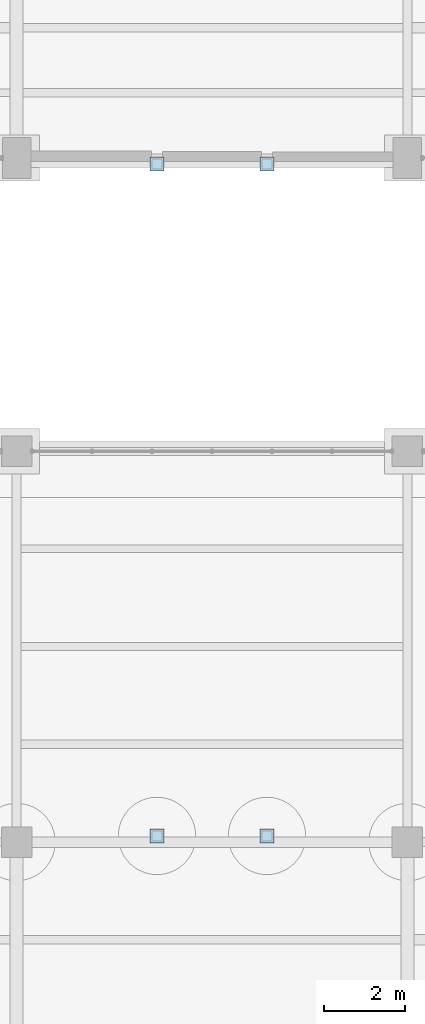
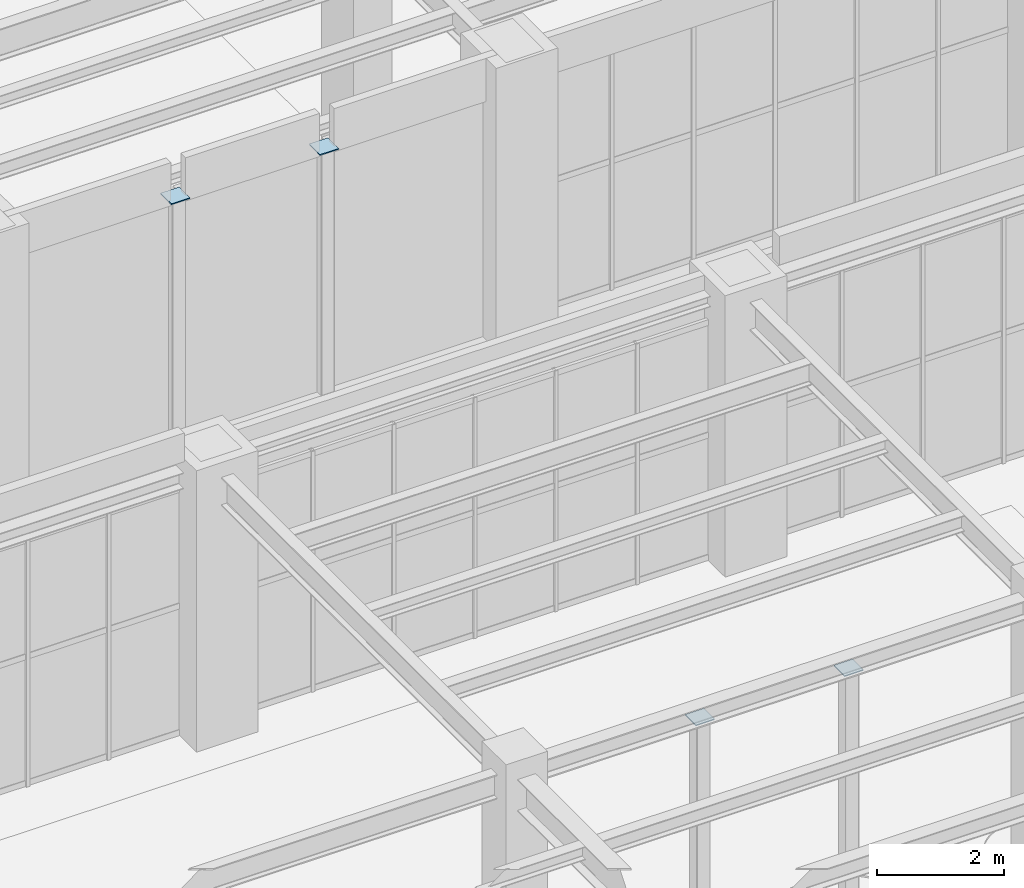
# One storey, part 127 of 164: 4 plates.
"""IFC4 building model written with IfcOpenShell, lengths in metres."""

import ifcopenshell
import ifcopenshell.guid

model = None  # the IFC model being written
_history = None  # IfcOwnerHistory: only IFC2X3 demands one
_inside = {}  # id of a spatial element -> (the spatial element, [elements in it])
_under = {}  # id of a project, library or spatial element -> (it, [spatial elements below it])
_declared = {}  # id of a project -> (the project, [libraries it declares])
_typed = {}  # id of a type object -> (the type object, [elements of that type])
_made_of = {}  # id of a material, layer set ... -> (it, [elements and type objects made of it])


def new_model(schema):
    """Start an empty IFC model of exactly this schema.

    Asked for "IFC4X3", IfcOpenShell would pick the latest addendum, in which some entities
    have other attributes; the version numbers below select the first issue.
    IFC2X3 requires an IfcOwnerHistory on every rooted entity: one is made here for all.
    """
    global model, _history
    if schema == "IFC4X3":
        model = ifcopenshell.file(schema_version=(4, 3, 0, 0))
    else:
        model = ifcopenshell.file(schema=schema)
    _inside.clear()
    _under.clear()
    _declared.clear()
    _typed.clear()
    _made_of.clear()
    _history = None
    if model.schema == "IFC2X3":
        org = make("IfcOrganization", Name="unknown")
        user = make(
            "IfcPersonAndOrganization",
            ThePerson=make("IfcPerson", FamilyName="unknown"),
            TheOrganization=org,
        )
        app = make(
            "IfcApplication",
            ApplicationDeveloper=org,
            Version="unknown",
            ApplicationFullName="unknown",
            ApplicationIdentifier="unknown",
        )
        _history = make(
            "IfcOwnerHistory",
            OwningUser=user,
            OwningApplication=app,
            ChangeAction="ADDED",
            CreationDate=0,
        )
    return model


def make(cls, **values):
    """One entity of the class cls with the attributes given. An attribute that is None is left unset."""
    return model.create_entity(
        cls, **{name: value for name, value in values.items() if value is not None}
    )


def rooted(cls, **values):
    """An entity with a GlobalId (a new one), such as an element, a storey or a relation."""
    return make(cls, GlobalId=ifcopenshell.guid.new(), OwnerHistory=_history, **values)


def si_unit(unit_type, name, prefix=None):
    """IfcSIUnit, for example si_unit("LENGTHUNIT", "METRE", prefix="MILLI")."""
    return make("IfcSIUnit", UnitType=unit_type, Prefix=prefix, Name=name)


def assignment(units):
    """IfcUnitAssignment: the units of a project."""
    return None if units is None else make("IfcUnitAssignment", Units=units)


def point(xyz):
    """IfcCartesianPoint."""
    return None if xyz is None else make("IfcCartesianPoint", Coordinates=xyz)


def direction(xyz):
    """IfcDirection."""
    return None if xyz is None else make("IfcDirection", DirectionRatios=xyz)


def frame(location, z_axis=None, x_axis=None):
    """IfcAxis2Placement3D, a coordinate frame: its origin and axes. An axis left out is left unset."""
    return make(
        "IfcAxis2Placement3D",
        Location=point(location),
        Axis=direction(z_axis),
        RefDirection=direction(x_axis),
    )


def frame_2d(location, x_axis=None):
    """IfcAxis2Placement2D, a coordinate frame in the plane: its origin and x axis."""
    return make(
        "IfcAxis2Placement2D", Location=point(location), RefDirection=direction(x_axis)
    )


def origin():
    """The frame at (0, 0, 0) with its axes left unset."""
    return frame((0.0, 0.0, 0.0))


def origin_2d():
    """The frame at (0, 0) in the plane with its x axis left unset."""
    return frame_2d((0.0, 0.0))


def place(relative_to, where):
    """IfcLocalPlacement: puts the frame where relative to a parent placement (None: the world)."""
    return make(
        "IfcLocalPlacement", PlacementRelTo=relative_to, RelativePlacement=where
    )


def context(
    kind, dimensions, precision=None, world=None, true_north=None, identifier=None
):
    """IfcGeometricRepresentationContext, for example the 3D "Model" context."""
    return make(
        "IfcGeometricRepresentationContext",
        ContextIdentifier=identifier,
        ContextType=kind,
        CoordinateSpaceDimension=dimensions,
        Precision=precision,
        WorldCoordinateSystem=world,
        TrueNorth=true_north,
    )


def subcontext(parent, identifier, kind, view, scale=None):
    """IfcGeometricRepresentationSubContext, for example "Body" below "Model"."""
    return make(
        "IfcGeometricRepresentationSubContext",
        ContextIdentifier=identifier,
        ContextType=kind,
        ParentContext=parent,
        TargetScale=scale,
        TargetView=view,
    )


def project(units=None, contexts=None):
    """IfcProject with its units and contexts."""
    return rooted(
        "IfcProject",
        Name="project",
        RepresentationContexts=contexts,
        UnitsInContext=assignment(units),
    )


def spatial(cls, under=None, at=None, **own):
    """A site, building, storey or space (cls), placed at a placement, below another one or the project."""
    s = rooted(cls, ObjectPlacement=at, **own)
    if under is not None:
        _under.setdefault(under.id(), (under, []))[1].append(s)
    return s


def profile(cls, at=None, kind="AREA", **sizes):
    """A parametric profile (cls). Its sizes go by their IFC names, for example OverallWidth=200.0."""
    return make(cls, ProfileType=kind, Position=at, **sizes)


def rectangle(**sizes):
    """IfcRectangleProfileDef."""
    return profile("IfcRectangleProfileDef", **sizes)


def extrude(swept, where, along, depth):
    """IfcExtrudedAreaSolid: the profile swept, set in the frame where, extruded along a direction by depth."""
    return make(
        "IfcExtrudedAreaSolid",
        SweptArea=swept,
        Position=where,
        ExtrudedDirection=direction(along),
        Depth=depth,
    )


def shape(context_of_items, identifier, shape_type, items):
    """IfcShapeRepresentation: the items that make up one representation, for example the "Body"."""
    return make(
        "IfcShapeRepresentation",
        ContextOfItems=context_of_items,
        RepresentationIdentifier=identifier,
        RepresentationType=shape_type,
        Items=items,
    )


def material(Name=None, Category=None):
    """IfcMaterial."""
    return make("IfcMaterial", Name=Name, Category=Category)


def layer(
    of_material, thickness, ventilated=None, Name=None, Category=None, Priority=None
):
    """IfcMaterialLayer: one layer of a wall or slab, of a material (None: an air gap)."""
    return make(
        "IfcMaterialLayer",
        Material=of_material,
        LayerThickness=thickness,
        IsVentilated=ventilated,
        Name=Name,
        Category=Category,
        Priority=Priority,
    )


def layer_set(layers, Name=None):
    """IfcMaterialLayerSet."""
    return make("IfcMaterialLayerSet", MaterialLayers=layers, LayerSetName=Name)


def made_of(thing, what):
    """Note that an element or type object is made of a material, layer set ...; save() writes the relation."""
    if what is not None:
        _made_of.setdefault(what.id(), (what, []))[1].append(thing)
    return thing


def type_object(cls, material=None, **own):
    """A type object (cls), such as IfcWallType, which elements share."""
    return made_of(rooted(cls, **own), material)


def element(
    cls,
    number,
    at=None,
    inside=None,
    cuts=None,
    type_object=None,
    material=None,
    context=None,
    identifier="Body",
    shape_type=None,
    held_by="IfcProductDefinitionShape",
    body=None,
    shapes=None,
    **own,
):
    """One element of the class cls, such as IfcWall. Its Tag is "e" and its number.

    at: its placement. inside: the storey or other place that contains it. cuts: it is an
    opening in that element (IfcRelVoidsElement). A single representation is given by context,
    identifier, shape_type and body (its items); several are given by shapes. held_by: the class
    of the entity that holds the representations. save() writes the other relations.
    """
    e = rooted(cls, Tag="e%d" % number, ObjectPlacement=at, **own)
    if body is not None:
        shapes = [shape(context, identifier, shape_type, body)]
    if shapes is not None:
        e.Representation = make(held_by, Representations=shapes)
    if inside is not None:
        _inside.setdefault(inside.id(), (inside, []))[1].append(e)
    if cuts is not None:
        rooted(
            "IfcRelVoidsElement", RelatingBuildingElement=cuts, RelatedOpeningElement=e
        )
    if type_object is not None:
        _typed.setdefault(type_object.id(), (type_object, []))[1].append(e)
    return made_of(e, material)


def aggregate(whole, parts):
    """IfcRelAggregates: a whole, such as a stair, and the parts it consists of."""
    return rooted("IfcRelAggregates", RelatingObject=whole, RelatedObjects=parts)


def save(model, path):
    """Write the relations noted so far, then the file.

    IfcRelAggregates (storeys below a building ...), IfcRelContainedInSpatialStructure (elements
    in a storey), IfcRelDefinesByType, IfcRelAssociatesMaterial and IfcRelDeclares: one each for
    every whole, place, type object, material and project.
    """
    for whole, parts in _under.values():
        aggregate(whole, parts)
    for where, things in _inside.values():
        rooted(
            "IfcRelContainedInSpatialStructure",
            RelatedElements=things,
            RelatingStructure=where,
        )
    for kind, things in _typed.values():
        rooted("IfcRelDefinesByType", RelatedObjects=things, RelatingType=kind)
    for what, things in _made_of.values():
        rooted("IfcRelAssociatesMaterial", RelatedObjects=things, RelatingMaterial=what)
    for by, libraries in _declared.values():
        rooted("IfcRelDeclares", RelatingContext=by, RelatedDefinitions=libraries)
    model.write(path)


model = new_model("IFC4")

# Units and contexts
model_context = context("Model", 3, precision=1e-05, world=origin(), true_north=direction((0.0, 1.0)))
body_context = subcontext(model_context, "Body", "Model", "MODEL_VIEW")
ifc_project = project(units=[si_unit("LENGTHUNIT", "METRE"), si_unit("AREAUNIT", "SQUARE_METRE"), si_unit("VOLUMEUNIT", "CUBIC_METRE"), si_unit("PLANEANGLEUNIT", "RADIAN"), si_unit("MASSUNIT", "GRAM", prefix="KILO")], contexts=[model_context])

# Site, building, storey
site_placement = place(None, origin())
site = spatial("IfcSite", under=ifc_project, at=site_placement, CompositionType="ELEMENT")
building_placement = place(site_placement, origin())
building = spatial("IfcBuilding", under=site, at=building_placement, Name="Mavantir Sound Aquarium", CompositionType="ELEMENT")
storey_placement = place(building_placement, origin())
storey = spatial("IfcBuildingStorey", under=building, at=storey_placement, Name="L00", CompositionType="ELEMENT", Elevation=0.0)

# Plates
ifc_material = material(Name="Structural Steel ASTM A572 Gr50", Category="steel")
ifc_layer = layer(ifc_material, 0.02001953125, Name="Structural Steel ASTM A572 Gr50")
ifc_layer_set = layer_set([ifc_layer], Name="Structural Steel ASTM A572 Gr50")
plate_type = type_object("IfcPlateType", Name="PLT-ENDCAP-20", PredefinedType="SHEET", material=ifc_layer_set)
for number, where, z_axis, x_axis, name in (
    (1, (130.64990234375, 19.35009765625, 4.65087890625), (0.0, 0.0, 1.0), (1.0, 0.0, 0.0), "Bridge hollow column 4.1 top cap plate NP-02"),
    (2, (130.64990234375, 35.85009765625, 4.65087890625), (0.0, 0.0, 1.0), (1.0, 0.0, 0.0), "Bridge hollow column 4.2 top cap plate NP-02"),
    (3, (133.35009765625, 19.35009765625, 4.65087890625), (0.0, 0.0, 1.0), (1.0, 0.0, 0.0), "Bridge hollow column 4.3 top cap plate NP-02"),
    (4, (133.35009765625, 35.85009765625, 4.65087890625), (0.0, 0.0, 1.0), (1.0, 0.0, 0.0), "Bridge hollow column 4.4 top cap plate NP-02"),
):
    element("IfcPlate", number, at=place(storey_placement, frame(where, z_axis=z_axis, x_axis=x_axis)), inside=storey, type_object=plate_type, Name=name, PredefinedType="SHEET", context=body_context, shape_type="SweptSolid", body=[
        extrude(rectangle(XDim=0.340087890625, YDim=0.340087890625, at=origin_2d()), origin(), (0.0, 0.0, 1.0), 0.02001953125),
    ])

save(model, "model.ifc")
